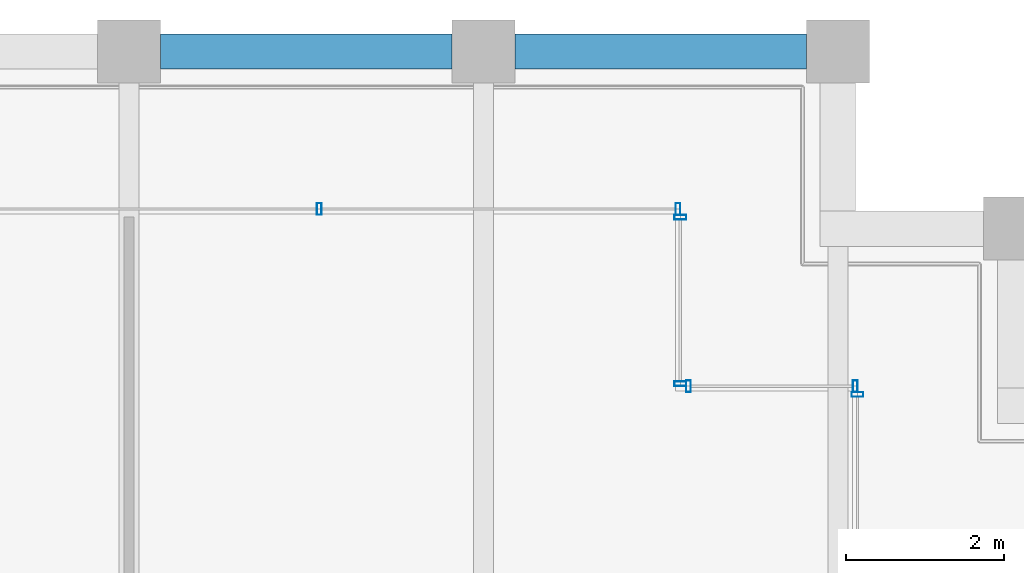
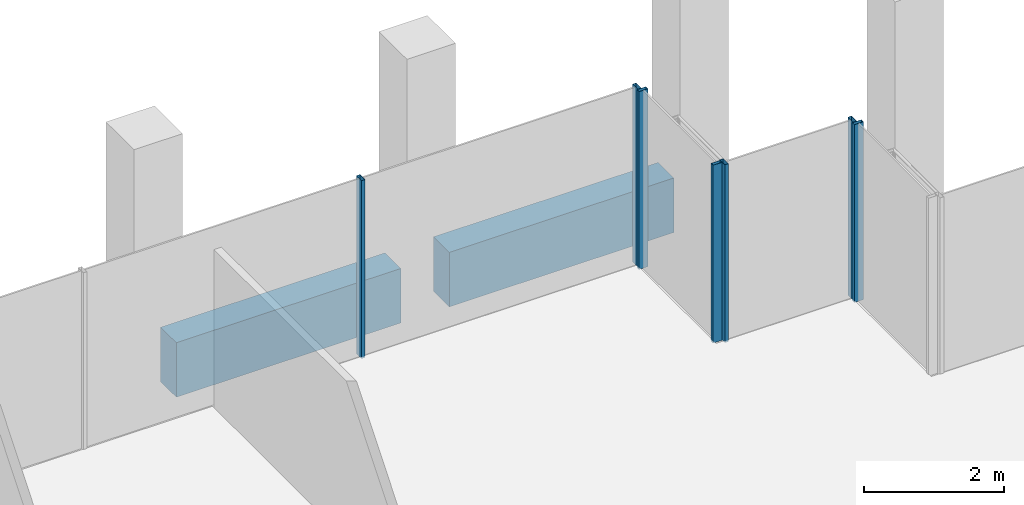
# One storey, part 26 of 41: 7 members, 2 beams, 4 elements without a shape of their own.
"""IFC4 building model written with IfcOpenShell, lengths in metres."""

from ifc_helpers import new_model, si_unit, direction, frame, origin, origin_2d, place, context, subcontext, project, spatial, rectangle, hollow_rectangle, extrude, material, material_profile, profile_set, type_object, element, aggregate, save


model = new_model("IFC4")

# Units and contexts
model_context = context("Model", 3, precision=1e-05, world=origin(), true_north=direction((0.0, 1.0)))
body_context = subcontext(model_context, "Body", "Model", "MODEL_VIEW")
ifc_project = project(units=[si_unit("LENGTHUNIT", "METRE"), si_unit("AREAUNIT", "SQUARE_METRE"), si_unit("VOLUMEUNIT", "CUBIC_METRE"), si_unit("PLANEANGLEUNIT", "RADIAN"), si_unit("MASSUNIT", "GRAM", prefix="KILO")], contexts=[model_context])

# Site, building, storey
site_placement = place(None, origin())
site = spatial("IfcSite", under=ifc_project, at=site_placement, CompositionType="ELEMENT")
building_placement = place(site_placement, origin())
building = spatial("IfcBuilding", under=site, at=building_placement, Name="Altepetl Exchange Towers", CompositionType="ELEMENT")
storey_placement = place(building_placement, frame((0.0, 0.0, 206.39990234375)))
storey = spatial("IfcBuildingStorey", under=building, at=storey_placement, Name="L52", CompositionType="ELEMENT", Elevation=206.39990234375)

# Curtain wall, member
ifc_material_1 = material(Name="Aluminium 6063-T6 glazing", Category="aluminium")
curtain_wall_type = type_object("IfcCurtainWallType", Name="Loggia glazing system", PredefinedType="NOTDEFINED", material=ifc_material_1)
curtain_wall_1_placement = place(storey_placement, origin())
curtain_wall_1 = element("IfcCurtainWall", 1, at=curtain_wall_1_placement, inside=storey, type_object=curtain_wall_type, Name="CW1 run", PredefinedType="NOTDEFINED")
ifc_material_2 = material(Name="Aluminium 6063-T6", Category="aluminium")
ifc_material_profile_1 = material_profile(ifc_material_2, hollow_rectangle(XDim=0.06005859375, YDim=0.14990234375, WallThickness=0.0029296875, at=origin_2d()), Name="Mullion 60x150 aluminium")
ifc_profile_set_1 = profile_set([ifc_material_profile_1], Name="Aluminium 6063-T6")
member_type = type_object("IfcMemberType", Name="Mullion 60x150 aluminium", PredefinedType="MULLION", material=ifc_profile_set_1)
member_1_placement = place(storey_placement, frame((67.75, 67.64501953125, 0.0), z_axis=(0.0, 0.0, 1.0), x_axis=(0.0, 1.0, 0.0)))
member_1 = element("IfcMember", 2, at=member_1_placement, type_object=member_type, Name="MU1 mullion", PredefinedType="MULLION", context=body_context, shape_type="SweptSolid", body=[
    extrude(hollow_rectangle(XDim=0.06005859375, YDim=0.14990234375, WallThickness=0.0029296875, at=origin_2d()), origin(), (0.0, 0.0, 1.0), 3.10009765625),
])
aggregate(curtain_wall_1, [member_1])

# Curtain wall, members
curtain_wall_2_placement = place(storey_placement, origin())
curtain_wall_2 = element("IfcCurtainWall", 3, at=curtain_wall_2_placement, inside=storey, type_object=curtain_wall_type, Name="CW1 run", PredefinedType="NOTDEFINED")
member_2_placement = place(storey_placement, frame((67.719970703125, 67.75, 0.0), z_axis=(0.0, 0.0, 1.0), x_axis=(-1.0, 0.0, 0.0)))
member_2 = element("IfcMember", 4, at=member_2_placement, type_object=member_type, Name="MU1 mullion", PredefinedType="MULLION", context=body_context, shape_type="SweptSolid", body=[
    extrude(hollow_rectangle(XDim=0.06005859375, YDim=0.14990234375, WallThickness=0.0029296875, at=origin_2d()), origin(), (0.0, 0.0, 1.0), 3.10009765625),
])
member_3_placement = place(storey_placement, frame((65.60498046875, 67.75, 0.0), z_axis=(0.0, 0.0, 1.0), x_axis=(-1.0, 0.0, 0.0)))
member_3 = element("IfcMember", 5, at=member_3_placement, type_object=member_type, Name="MU1 mullion", PredefinedType="MULLION", context=body_context, shape_type="SweptSolid", body=[
    extrude(hollow_rectangle(XDim=0.06005859375, YDim=0.14990234375, WallThickness=0.0029296875, at=origin_2d()), origin(), (0.0, 0.0, 1.0), 3.10009765625),
])
aggregate(curtain_wall_2, [member_2, member_3])

curtain_wall_3_placement = place(storey_placement, origin())
curtain_wall_3 = element("IfcCurtainWall", 6, at=curtain_wall_3_placement, inside=storey, type_object=curtain_wall_type, Name="CW1 run", PredefinedType="NOTDEFINED")
member_4_placement = place(storey_placement, frame((65.5, 67.780029296875, 0.0), z_axis=(0.0, 0.0, 1.0), x_axis=(0.0, 1.0, 0.0)))
member_4 = element("IfcMember", 7, at=member_4_placement, type_object=member_type, Name="MU1 mullion", PredefinedType="MULLION", context=body_context, shape_type="SweptSolid", body=[
    extrude(hollow_rectangle(XDim=0.06005859375, YDim=0.14990234375, WallThickness=0.0029296875, at=origin_2d()), origin(), (0.0, 0.0, 1.0), 3.10009765625),
])
member_5_placement = place(storey_placement, frame((65.5, 69.89501953125, 0.0), z_axis=(0.0, 0.0, 1.0), x_axis=(0.0, 1.0, 0.0)))
member_5 = element("IfcMember", 8, at=member_5_placement, type_object=member_type, Name="MU1 mullion", PredefinedType="MULLION", context=body_context, shape_type="SweptSolid", body=[
    extrude(hollow_rectangle(XDim=0.06005859375, YDim=0.14990234375, WallThickness=0.0029296875, at=origin_2d()), origin(), (0.0, 0.0, 1.0), 3.10009765625),
])
aggregate(curtain_wall_3, [member_4, member_5])

curtain_wall_4_placement = place(storey_placement, origin())
curtain_wall_4 = element("IfcCurtainWall", 9, at=curtain_wall_4_placement, inside=storey, type_object=curtain_wall_type, Name="CW1 run", PredefinedType="NOTDEFINED")
member_6_placement = place(storey_placement, frame((65.469970703125, 70.0, 0.0), z_axis=(0.0, 0.0, 1.0), x_axis=(-1.0, 0.0, 0.0)))
member_6 = element("IfcMember", 10, at=member_6_placement, type_object=member_type, Name="MU1 mullion", PredefinedType="MULLION", context=body_context, shape_type="SweptSolid", body=[
    extrude(hollow_rectangle(XDim=0.06005859375, YDim=0.14990234375, WallThickness=0.0029296875, at=origin_2d()), origin(), (0.0, 0.0, 1.0), 3.10009765625),
])
member_7_placement = place(storey_placement, frame((60.9150390625, 70.0, 0.0), z_axis=(0.0, 0.0, 1.0), x_axis=(-1.0, 0.0, 0.0)))
member_7 = element("IfcMember", 11, at=member_7_placement, type_object=member_type, Name="MU1 mullion", PredefinedType="MULLION", context=body_context, shape_type="SweptSolid", body=[
    extrude(hollow_rectangle(XDim=0.06005859375, YDim=0.14990234375, WallThickness=0.0029296875, at=origin_2d()), origin(), (0.0, 0.0, 1.0), 3.10009765625),
])
aggregate(curtain_wall_4, [member_6, member_7])

# Beams
ifc_material_3 = material(Name="Concrete C50/60 precast with cantera rosa facing", Category="concrete")
ifc_material_profile_2 = material_profile(ifc_material_3, rectangle(XDim=0.449951171875, YDim=0.949951171875, at=origin_2d()), Name="450 x 950")
ifc_profile_set_2 = profile_set([ifc_material_profile_2], Name="Concrete C50/60 precast with cantera rosa facing")
beam_type = type_object("IfcBeamType", Name="Spandrel beam 450x950 cantera rosa", PredefinedType="SPANDREL", material=ifc_profile_set_2)
for number, where, z_axis, x_axis, name in (
    (12, (67.10009765625, 72.0, -0.625), (-1.0, 0.0, 0.0), (0.0, -1.0, 0.0), "sp:A:L52:024"),
    (13, (62.60009765625, 72.0, -0.625), (-1.0, 0.0, 0.0), (0.0, -1.0, 0.0), "sp:A:L52:025"),
):
    element("IfcBeam", number, at=place(storey_placement, frame(where, z_axis=z_axis, x_axis=x_axis)), inside=storey, type_object=beam_type, Name=name, PredefinedType="SPANDREL", context=body_context, shape_type="SweptSolid", body=[
        extrude(rectangle(XDim=0.449951171875, YDim=0.949951171875, at=origin_2d()), origin(), (0.0, 0.0, 1.0), 3.7001953125),
    ])

save(model, "model.ifc")
